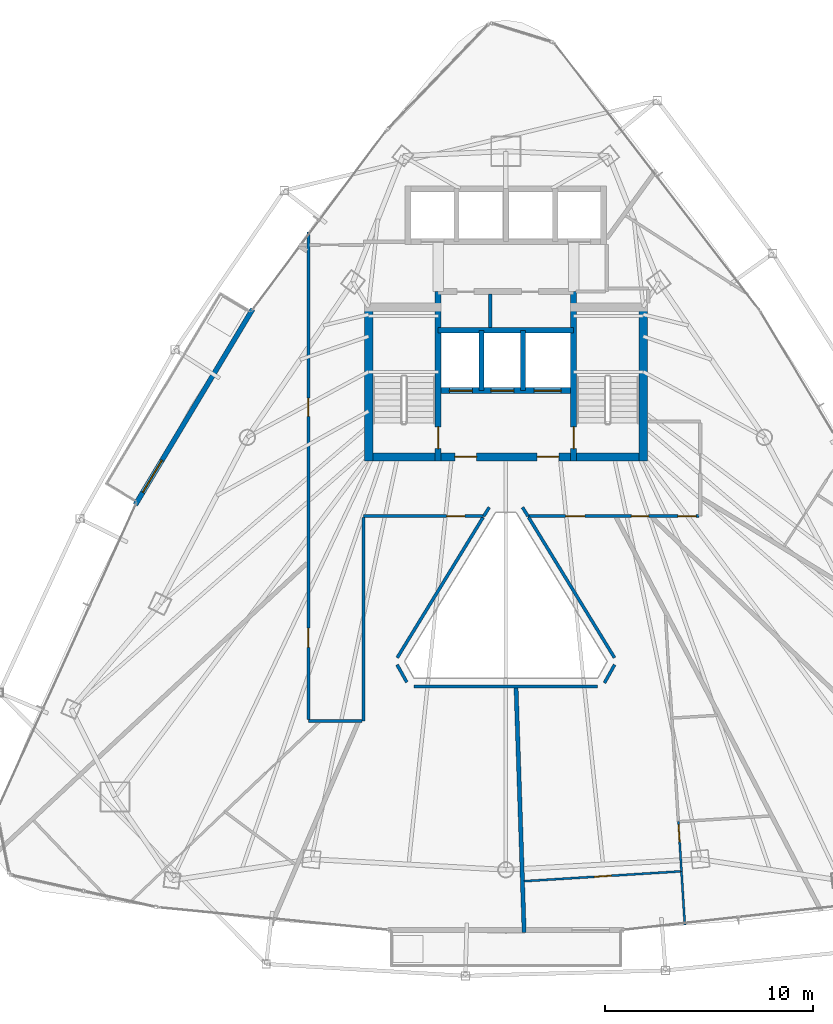
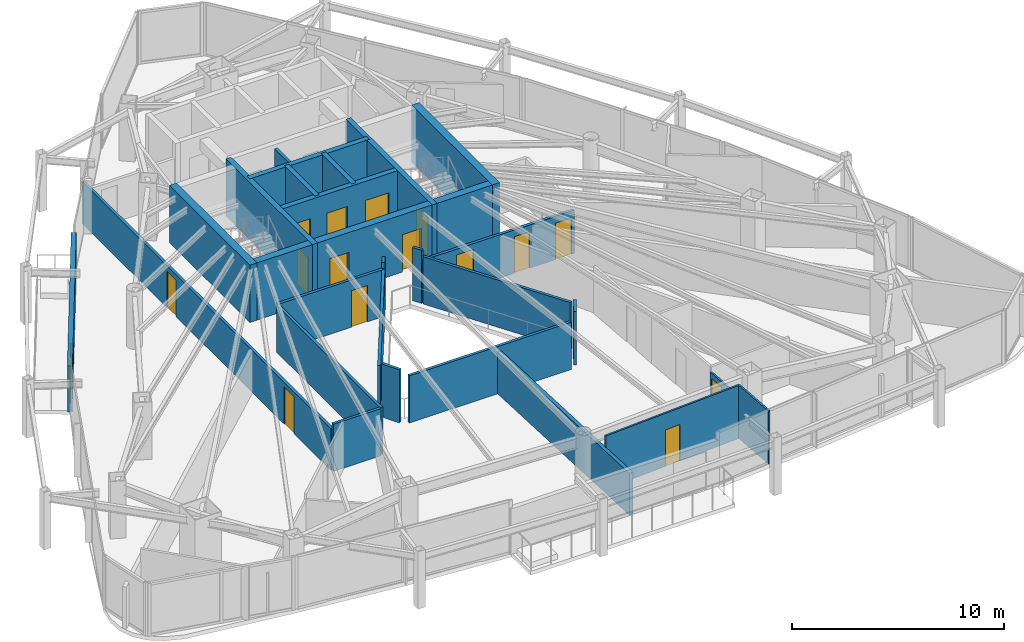
# One storey, part 24 of 29: 27 walls, 16 doors, 16 openings.
"""IFC4 building model written with IfcOpenShell, lengths in metres."""

import ifcopenshell
import ifcopenshell.guid

model = None  # the IFC model being written
_history = None  # IfcOwnerHistory: only IFC2X3 demands one
_inside = {}  # id of a spatial element -> (the spatial element, [elements in it])
_under = {}  # id of a project, library or spatial element -> (it, [spatial elements below it])
_declared = {}  # id of a project -> (the project, [libraries it declares])
_typed = {}  # id of a type object -> (the type object, [elements of that type])
_made_of = {}  # id of a material, layer set ... -> (it, [elements and type objects made of it])


def new_model(schema):
    """Start an empty IFC model of exactly this schema.

    Asked for "IFC4X3", IfcOpenShell would pick the latest addendum, in which some entities
    have other attributes; the version numbers below select the first issue.
    IFC2X3 requires an IfcOwnerHistory on every rooted entity: one is made here for all.
    """
    global model, _history
    if schema == "IFC4X3":
        model = ifcopenshell.file(schema_version=(4, 3, 0, 0))
    else:
        model = ifcopenshell.file(schema=schema)
    _inside.clear()
    _under.clear()
    _declared.clear()
    _typed.clear()
    _made_of.clear()
    _history = None
    if model.schema == "IFC2X3":
        org = make("IfcOrganization", Name="unknown")
        user = make(
            "IfcPersonAndOrganization",
            ThePerson=make("IfcPerson", FamilyName="unknown"),
            TheOrganization=org,
        )
        app = make(
            "IfcApplication",
            ApplicationDeveloper=org,
            Version="unknown",
            ApplicationFullName="unknown",
            ApplicationIdentifier="unknown",
        )
        _history = make(
            "IfcOwnerHistory",
            OwningUser=user,
            OwningApplication=app,
            ChangeAction="ADDED",
            CreationDate=0,
        )
    return model


def make(cls, **values):
    """One entity of the class cls with the attributes given. An attribute that is None is left unset."""
    return model.create_entity(
        cls, **{name: value for name, value in values.items() if value is not None}
    )


def rooted(cls, **values):
    """An entity with a GlobalId (a new one), such as an element, a storey or a relation."""
    return make(cls, GlobalId=ifcopenshell.guid.new(), OwnerHistory=_history, **values)


def si_unit(unit_type, name, prefix=None):
    """IfcSIUnit, for example si_unit("LENGTHUNIT", "METRE", prefix="MILLI")."""
    return make("IfcSIUnit", UnitType=unit_type, Prefix=prefix, Name=name)


def assignment(units):
    """IfcUnitAssignment: the units of a project."""
    return None if units is None else make("IfcUnitAssignment", Units=units)


def point(xyz):
    """IfcCartesianPoint."""
    return None if xyz is None else make("IfcCartesianPoint", Coordinates=xyz)


def direction(xyz):
    """IfcDirection."""
    return None if xyz is None else make("IfcDirection", DirectionRatios=xyz)


def frame(location, z_axis=None, x_axis=None):
    """IfcAxis2Placement3D, a coordinate frame: its origin and axes. An axis left out is left unset."""
    return make(
        "IfcAxis2Placement3D",
        Location=point(location),
        Axis=direction(z_axis),
        RefDirection=direction(x_axis),
    )


def frame_2d(location, x_axis=None):
    """IfcAxis2Placement2D, a coordinate frame in the plane: its origin and x axis."""
    return make(
        "IfcAxis2Placement2D", Location=point(location), RefDirection=direction(x_axis)
    )


def origin():
    """The frame at (0, 0, 0) with its axes left unset."""
    return frame((0.0, 0.0, 0.0))


def place(relative_to, where):
    """IfcLocalPlacement: puts the frame where relative to a parent placement (None: the world)."""
    return make(
        "IfcLocalPlacement", PlacementRelTo=relative_to, RelativePlacement=where
    )


def context(
    kind, dimensions, precision=None, world=None, true_north=None, identifier=None
):
    """IfcGeometricRepresentationContext, for example the 3D "Model" context."""
    return make(
        "IfcGeometricRepresentationContext",
        ContextIdentifier=identifier,
        ContextType=kind,
        CoordinateSpaceDimension=dimensions,
        Precision=precision,
        WorldCoordinateSystem=world,
        TrueNorth=true_north,
    )


def subcontext(parent, identifier, kind, view, scale=None):
    """IfcGeometricRepresentationSubContext, for example "Body" below "Model"."""
    return make(
        "IfcGeometricRepresentationSubContext",
        ContextIdentifier=identifier,
        ContextType=kind,
        ParentContext=parent,
        TargetScale=scale,
        TargetView=view,
    )


def project(units=None, contexts=None):
    """IfcProject with its units and contexts."""
    return rooted(
        "IfcProject",
        Name="project",
        RepresentationContexts=contexts,
        UnitsInContext=assignment(units),
    )


def spatial(cls, under=None, at=None, **own):
    """A site, building, storey or space (cls), placed at a placement, below another one or the project."""
    s = rooted(cls, ObjectPlacement=at, **own)
    if under is not None:
        _under.setdefault(under.id(), (under, []))[1].append(s)
    return s


def profile(cls, at=None, kind="AREA", **sizes):
    """A parametric profile (cls). Its sizes go by their IFC names, for example OverallWidth=200.0."""
    return make(cls, ProfileType=kind, Position=at, **sizes)


def rectangle(**sizes):
    """IfcRectangleProfileDef."""
    return profile("IfcRectangleProfileDef", **sizes)


def extrude(swept, where, along, depth):
    """IfcExtrudedAreaSolid: the profile swept, set in the frame where, extruded along a direction by depth."""
    return make(
        "IfcExtrudedAreaSolid",
        SweptArea=swept,
        Position=where,
        ExtrudedDirection=direction(along),
        Depth=depth,
    )


def shape(context_of_items, identifier, shape_type, items):
    """IfcShapeRepresentation: the items that make up one representation, for example the "Body"."""
    return make(
        "IfcShapeRepresentation",
        ContextOfItems=context_of_items,
        RepresentationIdentifier=identifier,
        RepresentationType=shape_type,
        Items=items,
    )


def material(Name=None, Category=None):
    """IfcMaterial."""
    return make("IfcMaterial", Name=Name, Category=Category)


def layer(
    of_material, thickness, ventilated=None, Name=None, Category=None, Priority=None
):
    """IfcMaterialLayer: one layer of a wall or slab, of a material (None: an air gap)."""
    return make(
        "IfcMaterialLayer",
        Material=of_material,
        LayerThickness=thickness,
        IsVentilated=ventilated,
        Name=Name,
        Category=Category,
        Priority=Priority,
    )


def layer_set(layers, Name=None):
    """IfcMaterialLayerSet."""
    return make("IfcMaterialLayerSet", MaterialLayers=layers, LayerSetName=Name)


def made_of(thing, what):
    """Note that an element or type object is made of a material, layer set ...; save() writes the relation."""
    if what is not None:
        _made_of.setdefault(what.id(), (what, []))[1].append(thing)
    return thing


def type_object(cls, material=None, **own):
    """A type object (cls), such as IfcWallType, which elements share."""
    return made_of(rooted(cls, **own), material)


def element(
    cls,
    number,
    at=None,
    inside=None,
    cuts=None,
    type_object=None,
    material=None,
    context=None,
    identifier="Body",
    shape_type=None,
    held_by="IfcProductDefinitionShape",
    body=None,
    shapes=None,
    **own,
):
    """One element of the class cls, such as IfcWall. Its Tag is "e" and its number.

    at: its placement. inside: the storey or other place that contains it. cuts: it is an
    opening in that element (IfcRelVoidsElement). A single representation is given by context,
    identifier, shape_type and body (its items); several are given by shapes. held_by: the class
    of the entity that holds the representations. save() writes the other relations.
    """
    e = rooted(cls, Tag="e%d" % number, ObjectPlacement=at, **own)
    if body is not None:
        shapes = [shape(context, identifier, shape_type, body)]
    if shapes is not None:
        e.Representation = make(held_by, Representations=shapes)
    if inside is not None:
        _inside.setdefault(inside.id(), (inside, []))[1].append(e)
    if cuts is not None:
        rooted(
            "IfcRelVoidsElement", RelatingBuildingElement=cuts, RelatedOpeningElement=e
        )
    if type_object is not None:
        _typed.setdefault(type_object.id(), (type_object, []))[1].append(e)
    return made_of(e, material)


def fill(opening, filler):
    """IfcRelFillsElement: the door or window that sits in an opening."""
    return rooted(
        "IfcRelFillsElement",
        RelatingOpeningElement=opening,
        RelatedBuildingElement=filler,
    )


def aggregate(whole, parts):
    """IfcRelAggregates: a whole, such as a stair, and the parts it consists of."""
    return rooted("IfcRelAggregates", RelatingObject=whole, RelatedObjects=parts)


def save(model, path):
    """Write the relations noted so far, then the file.

    IfcRelAggregates (storeys below a building ...), IfcRelContainedInSpatialStructure (elements
    in a storey), IfcRelDefinesByType, IfcRelAssociatesMaterial and IfcRelDeclares: one each for
    every whole, place, type object, material and project.
    """
    for whole, parts in _under.values():
        aggregate(whole, parts)
    for where, things in _inside.values():
        rooted(
            "IfcRelContainedInSpatialStructure",
            RelatedElements=things,
            RelatingStructure=where,
        )
    for kind, things in _typed.values():
        rooted("IfcRelDefinesByType", RelatedObjects=things, RelatingType=kind)
    for what, things in _made_of.values():
        rooted("IfcRelAssociatesMaterial", RelatedObjects=things, RelatingMaterial=what)
    for by, libraries in _declared.values():
        rooted("IfcRelDeclares", RelatingContext=by, RelatedDefinitions=libraries)
    model.write(path)


model = new_model("IFC4")

# Units and contexts
model_context = context("Model", 3, precision=1e-05, world=origin(), true_north=direction((0.0, 1.0)))
body_context = subcontext(model_context, "Body", "Model", "MODEL_VIEW")
ifc_project = project(units=[si_unit("LENGTHUNIT", "METRE"), si_unit("AREAUNIT", "SQUARE_METRE"), si_unit("VOLUMEUNIT", "CUBIC_METRE"), si_unit("PLANEANGLEUNIT", "RADIAN"), si_unit("MASSUNIT", "GRAM", prefix="KILO")], contexts=[model_context])

# Site, building, storey
site_placement = place(None, origin())
site = spatial("IfcSite", under=ifc_project, at=site_placement, CompositionType="ELEMENT")
building_placement = place(site_placement, origin())
building = spatial("IfcBuilding", under=site, at=building_placement, Name="Orvanel Arch Residences", CompositionType="ELEMENT")
storey_placement = place(building_placement, frame((0.0, 0.0, 173.75)))
storey = spatial("IfcBuildingStorey", under=building, at=storey_placement, Name="L49", CompositionType="ELEMENT", Elevation=173.75)

# Wall, opening, door
ifc_material_1 = material(Name="Precast concrete N50 (50 MPa)", Category="concrete")
ifc_layer_1 = layer(ifc_material_1, 0.239990234375)
ifc_layer_set_1 = layer_set([ifc_layer_1], Name="Precast concrete N50 (50 MPa)")
wall_type_1 = type_object("IfcWallType", Name="EW-BAL-240", PredefinedType="SOLIDWALL", material=ifc_layer_set_1)
wall_1_placement = place(storey_placement, frame((20.825927734375, 33.81103515625, 0.0), z_axis=(0.0, 0.0, 1.0), x_axis=(-0.514332213488, -0.857591029669, 0.0)))
wall_1 = element("IfcWall", 1, at=wall_1_placement, inside=storey, type_object=wall_type_1, Name="L49 Balcony Threshold Wall Face 1", PredefinedType="SOLIDWALL", context=body_context, shape_type="SweptSolid", body=[
    extrude(rectangle(XDim=10.977294921875, YDim=0.239990234375, at=frame_2d((5.48876953125, 0.0))), origin(), (0.0, 0.0, 1.0), 2.6240234375),
])
opening_1_placement = place(wall_1_placement, frame((8.47998046875, 0.0, 0.0)))
opening_1 = element("IfcOpeningElement", 2, at=opening_1_placement, cuts=wall_1, Name="Opening DB-180", PredefinedType="OPENING", context=body_context, shape_type="SweptSolid", body=[
    extrude(rectangle(XDim=1.800048828125, YDim=2.199951171875, at=frame_2d((0.89990234375, 1.10009765625))), frame((0.0, 0.1298828125, 0.0), z_axis=(0.0, -1.0, 0.0), x_axis=(1.0, 0.0, 0.0)), (0.0, 0.0, 1.0), 0.260009765625),
])
ifc_material_2 = material(Name="Bronze-anodised aluminium AA6063-T6", Category="aluminium")
door_type_1 = type_object("IfcDoorType", Name="DR-BAL-1800", OperationType="NOTDEFINED", PredefinedType="DOOR", material=ifc_material_2)
door_1_placement = place(opening_1_placement, origin())
door_1 = element("IfcDoor", 3, at=door_1_placement, inside=storey, type_object=door_type_1, Name="DR-L49-BAL-F1 L49 Planted Balcony Access Door Face 1", OperationType="SINGLE_SWING_LEFT", OverallHeight=2.199951171875, OverallWidth=1.800048828125, PredefinedType="DOOR", context=body_context, shape_type="SweptSolid", body=[
    extrude(rectangle(XDim=1.800048828125, YDim=2.199951171875, at=frame_2d((0.89990234375, 1.10009765625))), frame((0.0, 0.02490234375, 0.0), z_axis=(0.0, -1.0, 0.0), x_axis=(1.0, 0.0, 0.0)), (0.0, 0.0, 1.0), 0.050048828125),
])
fill(opening_1, door_1)

# Walls
ifc_material_3 = material(Name="Concrete N50 (50 MPa)", Category="concrete")
ifc_layer_2 = layer(ifc_material_3, 0.25)
ifc_layer_set_2 = layer_set([ifc_layer_2], Name="Concrete N50 (50 MPa)")
wall_type_2 = type_object("IfcWallType", Name="SW-CORE-250", PredefinedType="SHEAR", material=ifc_layer_set_2)
for number, where, z_axis, x_axis, name in (
    (4, (31.824951171875, 29.889892578125, 0.0), (0.0, 0.0, 1.0), (0.0, 1.0, 0.0), "L49 Emergency Lift Inter-Shaft Wall F12"),
    (5, (33.824951171875, 29.889892578125, 0.0), (0.0, 0.0, 1.0), (0.0, 1.0, 0.0), "L49 Emergency Lift Inter-Shaft Wall F2G"),
):
    element("IfcWall", number, at=place(storey_placement, frame(where, z_axis=z_axis, x_axis=x_axis)), inside=storey, type_object=wall_type_2, Name=name, PredefinedType="SHEAR", context=body_context, shape_type="SweptSolid", body=[
        extrude(rectangle(XDim=2.900146484375, YDim=0.25, at=frame_2d((1.4501953125, 0.0))), origin(), (0.0, 0.0, 1.0), 3.300048828125),
    ])

# Wall, opening, door
ifc_material_4 = material(Name="Concrete S65 (65 MPa)", Category="concrete")
ifc_layer_3 = layer(ifc_material_4, 0.280029296875)
ifc_layer_set_3 = layer_set([ifc_layer_3], Name="Concrete S65 (65 MPa)")
wall_type_3 = type_object("IfcWallType", Name="SW-CORE-280", PredefinedType="SHEAR", material=ifc_layer_set_3)
wall_2_placement = place(storey_placement, frame((29.739990234375, 26.5, 0.0), z_axis=(0.0, 0.0, 1.0), x_axis=(0.0, 1.0, 0.0)))
wall_2 = element("IfcWall", 6, at=wall_2_placement, inside=storey, type_object=wall_type_3, Name="L49 West Inner Core Spine Shear Wall", PredefinedType="SHEAR", context=body_context, shape_type="SweptSolid", body=[
    extrude(rectangle(XDim=8.14990234375, YDim=0.280029296875, at=frame_2d((4.074951171875, 0.0))), origin(), (0.0, 0.0, 1.0), 3.300048828125),
])
opening_2_placement = place(wall_2_placement, frame((0.60009765625, 0.0, 0.0)))
opening_2 = element("IfcOpeningElement", 7, at=opening_2_placement, cuts=wall_2, Name="Opening DF-120", PredefinedType="OPENING", context=body_context, shape_type="SweptSolid", body=[
    extrude(rectangle(XDim=1.050048828125, YDim=2.14990234375, at=frame_2d((0.52490234375, 1.074951171875))), frame((0.0, 0.14990234375, 0.0), z_axis=(0.0, -1.0, 0.0), x_axis=(1.0, 0.0, 0.0)), (0.0, 0.0, 1.0), 0.300048828125),
])
ifc_material_5 = material(Name="Galvanised steel fire-resisting door assembly", Category="steel")
door_type_2 = type_object("IfcDoorType", Name="DR-FD120-1050", OperationType="NOTDEFINED", PredefinedType="DOOR", material=ifc_material_5)
door_2_placement = place(opening_2_placement, origin())
door_2 = element("IfcDoor", 8, at=door_2_placement, inside=storey, type_object=door_type_2, Name="DR-L49-ST1 L49 Stair 1 Fire Door", OperationType="SINGLE_SWING_LEFT", OverallHeight=2.14990234375, OverallWidth=1.050048828125, PredefinedType="DOOR", context=body_context, shape_type="SweptSolid", body=[
    extrude(rectangle(XDim=1.050048828125, YDim=2.14990234375, at=frame_2d((0.52490234375, 1.074951171875))), frame((0.0, 0.02490234375, 0.0), z_axis=(0.0, -1.0, 0.0), x_axis=(1.0, 0.0, 0.0)), (0.0, 0.0, 1.0), 0.050048828125),
])
fill(opening_2, door_2)

wall_3_placement = place(storey_placement, frame((36.260009765625, 26.5, 0.0), z_axis=(0.0, 0.0, 1.0), x_axis=(0.0, 1.0, 0.0)))
wall_3 = element("IfcWall", 9, at=wall_3_placement, inside=storey, type_object=wall_type_3, Name="L49 East Inner Core Spine Shear Wall", PredefinedType="SHEAR", context=body_context, shape_type="SweptSolid", body=[
    extrude(rectangle(XDim=8.14990234375, YDim=0.280029296875, at=frame_2d((4.074951171875, 0.0))), origin(), (0.0, 0.0, 1.0), 3.300048828125),
])
opening_3_placement = place(wall_3_placement, frame((0.60009765625, 0.0, 0.0)))
opening_3 = element("IfcOpeningElement", 10, at=opening_3_placement, cuts=wall_3, Name="Opening DF-120", PredefinedType="OPENING", context=body_context, shape_type="SweptSolid", body=[
    extrude(rectangle(XDim=1.050048828125, YDim=2.14990234375, at=frame_2d((0.52490234375, 1.074951171875))), frame((0.0, 0.14990234375, 0.0), z_axis=(0.0, -1.0, 0.0), x_axis=(1.0, 0.0, 0.0)), (0.0, 0.0, 1.0), 0.300048828125),
])
door_3_placement = place(opening_3_placement, origin())
door_3 = element("IfcDoor", 11, at=door_3_placement, inside=storey, type_object=door_type_2, Name="DR-L49-ST2 L49 Stair 2 Fire Door", OperationType="SINGLE_SWING_RIGHT", OverallHeight=2.14990234375, OverallWidth=1.050048828125, PredefinedType="DOOR", context=body_context, shape_type="SweptSolid", body=[
    extrude(rectangle(XDim=1.050048828125, YDim=2.14990234375, at=frame_2d((0.52490234375, 1.074951171875))), frame((0.0, 0.02490234375, 0.0), z_axis=(0.0, -1.0, 0.0), x_axis=(1.0, 0.0, 0.0)), (0.0, 0.0, 1.0), 0.050048828125),
])
fill(opening_3, door_3)

# Wall, openings, doors
wall_4_placement = place(storey_placement, frame((36.260009765625, 29.889892578125, 0.0), z_axis=(0.0, 0.0, 1.0), x_axis=(-1.0, 0.0, 0.0)))
wall_4 = element("IfcWall", 12, at=wall_4_placement, inside=storey, type_object=wall_type_3, Name="L49 Emergency Lift Front Core Shear Wall", PredefinedType="SHEAR", context=body_context, shape_type="SweptSolid", body=[
    extrude(rectangle(XDim=6.52001953125, YDim=0.280029296875, at=frame_2d((3.260009765625, 0.0))), origin(), (0.0, 0.0, 1.0), 3.300048828125),
])
opening_4_placement = place(wall_4_placement, frame((4.875, 0.0, 0.0)))
opening_4 = element("IfcOpeningElement", 13, at=opening_4_placement, cuts=wall_4, Name="Opening LD-110", PredefinedType="OPENING", context=body_context, shape_type="SweptSolid", body=[
    extrude(rectangle(XDim=1.10009765625, YDim=2.199951171875, at=frame_2d((0.550048828125, 1.10009765625))), frame((0.0, 0.14990234375, 0.0), z_axis=(0.0, -1.0, 0.0), x_axis=(1.0, 0.0, 0.0)), (0.0, 0.0, 1.0), 0.300048828125),
])
opening_5_placement = place(wall_4_placement, frame((2.875, 0.0, 0.0)))
opening_5 = element("IfcOpeningElement", 14, at=opening_5_placement, cuts=wall_4, Name="Opening LD-110", PredefinedType="OPENING", context=body_context, shape_type="SweptSolid", body=[
    extrude(rectangle(XDim=1.10009765625, YDim=2.199951171875, at=frame_2d((0.550048828125, 1.10009765625))), frame((0.0, 0.14990234375, 0.0), z_axis=(0.0, -1.0, 0.0), x_axis=(1.0, 0.0, 0.0)), (0.0, 0.0, 1.0), 0.300048828125),
])
opening_6_placement = place(wall_4_placement, frame((0.60009765625, 0.0, 0.0)))
opening_6 = element("IfcOpeningElement", 15, at=opening_6_placement, cuts=wall_4, Name="Opening LD-130", PredefinedType="OPENING", context=body_context, shape_type="SweptSolid", body=[
    extrude(rectangle(XDim=1.300048828125, YDim=2.199951171875, at=frame_2d((0.64990234375, 1.10009765625))), frame((0.0, 0.14990234375, 0.0), z_axis=(0.0, -1.0, 0.0), x_axis=(1.0, 0.0, 0.0)), (0.0, 0.0, 1.0), 0.300048828125),
])
door_type_3 = type_object("IfcDoorType", Name="DR-LFT-1100", OperationType="NOTDEFINED", PredefinedType="DOOR", material=ifc_material_5)
door_4_placement = place(opening_4_placement, origin())
door_4 = element("IfcDoor", 16, at=door_4_placement, inside=storey, type_object=door_type_3, Name="LD-F1-L49 L49 Lift F1 Sliding Landing Door", OperationType="DOUBLE_DOOR_SLIDING", OverallHeight=2.199951171875, OverallWidth=1.10009765625, PredefinedType="DOOR", context=body_context, shape_type="SweptSolid", body=[
    extrude(rectangle(XDim=1.10009765625, YDim=2.199951171875, at=frame_2d((0.550048828125, 1.10009765625))), frame((0.0, 0.02490234375, 0.0), z_axis=(0.0, -1.0, 0.0), x_axis=(1.0, 0.0, 0.0)), (0.0, 0.0, 1.0), 0.050048828125),
])
fill(opening_4, door_4)
door_5_placement = place(opening_5_placement, origin())
door_5 = element("IfcDoor", 17, at=door_5_placement, inside=storey, type_object=door_type_3, Name="LD-F2-L49 L49 Lift F2 Sliding Landing Door", OperationType="DOUBLE_DOOR_SLIDING", OverallHeight=2.199951171875, OverallWidth=1.10009765625, PredefinedType="DOOR", context=body_context, shape_type="SweptSolid", body=[
    extrude(rectangle(XDim=1.10009765625, YDim=2.199951171875, at=frame_2d((0.550048828125, 1.10009765625))), frame((0.0, 0.02490234375, 0.0), z_axis=(0.0, -1.0, 0.0), x_axis=(1.0, 0.0, 0.0)), (0.0, 0.0, 1.0), 0.050048828125),
])
fill(opening_5, door_5)
door_type_4 = type_object("IfcDoorType", Name="DR-LFT-1300", OperationType="NOTDEFINED", PredefinedType="DOOR", material=ifc_material_5)
door_6_placement = place(opening_6_placement, origin())
door_6 = element("IfcDoor", 18, at=door_6_placement, inside=storey, type_object=door_type_4, Name="LD-G1-L49 L49 Lift G1 Sliding Landing Door", OperationType="DOUBLE_DOOR_SLIDING", OverallHeight=2.199951171875, OverallWidth=1.300048828125, PredefinedType="DOOR", context=body_context, shape_type="SweptSolid", body=[
    extrude(rectangle(XDim=1.300048828125, YDim=2.199951171875, at=frame_2d((0.64990234375, 1.10009765625))), frame((0.0, 0.02490234375, 0.0), z_axis=(0.0, -1.0, 0.0), x_axis=(1.0, 0.0, 0.0)), (0.0, 0.0, 1.0), 0.050048828125),
])
fill(opening_6, door_6)

# Wall
wall_5_placement = place(storey_placement, frame((29.739990234375, 32.7900390625, 0.0), z_axis=(0.0, 0.0, 1.0), x_axis=(1.0, 0.0, 0.0)))
element("IfcWall", 19, at=wall_5_placement, inside=storey, type_object=wall_type_3, Name="L49 Emergency Lift Back Core Shear Wall", PredefinedType="SHEAR", context=body_context, shape_type="SweptSolid", body=[
    extrude(rectangle(XDim=6.52001953125, YDim=0.280029296875, at=frame_2d((3.260009765625, 0.0))), origin(), (0.0, 0.0, 1.0), 3.300048828125),
])

# Wall, openings, doors
ifc_layer_4 = layer(ifc_material_4, 0.39990234375)
ifc_layer_set_4 = layer_set([ifc_layer_4], Name="Concrete S65 (65 MPa)")
wall_type_4 = type_object("IfcWallType", Name="SW-CORE-400", PredefinedType="SHEAR", material=ifc_layer_set_4)
wall_6_placement = place(storey_placement, frame((26.199951171875, 26.699951171875, 0.0), z_axis=(0.0, 0.0, 1.0), x_axis=(1.0, 0.0, 0.0)))
wall_6 = element("IfcWall", 20, at=wall_6_placement, inside=storey, type_object=wall_type_4, Name="L49 South Core Shear Wall", PredefinedType="SHEAR", context=body_context, shape_type="SweptSolid", body=[
    extrude(rectangle(XDim=13.60009765625, YDim=0.39990234375, at=frame_2d((6.800048828125, 0.0))), origin(), (0.0, 0.0, 1.0), 3.300048828125),
])
opening_7_placement = place(wall_6_placement, frame((4.35009765625, 0.0, 0.0)))
opening_7 = element("IfcOpeningElement", 21, at=opening_7_placement, cuts=wall_6, Name="Opening DF-060", PredefinedType="OPENING", context=body_context, shape_type="SweptSolid", body=[
    extrude(rectangle(XDim=1.050048828125, YDim=2.14990234375, at=frame_2d((0.52490234375, 1.074951171875))), frame((0.0, 0.2099609375, 0.0), z_axis=(0.0, -1.0, 0.0), x_axis=(1.0, 0.0, 0.0)), (0.0, 0.0, 1.0), 0.419921875),
])
opening_8_placement = place(wall_6_placement, frame((8.300048828125, 0.0, 0.0)))
opening_8 = element("IfcOpeningElement", 22, at=opening_8_placement, cuts=wall_6, Name="Opening DF-060", PredefinedType="OPENING", context=body_context, shape_type="SweptSolid", body=[
    extrude(rectangle(XDim=1.050048828125, YDim=2.14990234375, at=frame_2d((0.52490234375, 1.074951171875))), frame((0.0, 0.2099609375, 0.0), z_axis=(0.0, -1.0, 0.0), x_axis=(1.0, 0.0, 0.0)), (0.0, 0.0, 1.0), 0.419921875),
])
door_type_5 = type_object("IfcDoorType", Name="DR-FD60-1050", OperationType="NOTDEFINED", PredefinedType="DOOR", material=ifc_material_5)
door_7_placement = place(opening_7_placement, origin())
door_7 = element("IfcDoor", 23, at=door_7_placement, inside=storey, type_object=door_type_5, Name="DR-L49-FFL-W L49 West Smoke Lobby Door", OperationType="SINGLE_SWING_LEFT", OverallHeight=2.14990234375, OverallWidth=1.050048828125, PredefinedType="DOOR", context=body_context, shape_type="SweptSolid", body=[
    extrude(rectangle(XDim=1.050048828125, YDim=2.14990234375, at=frame_2d((0.52490234375, 1.074951171875))), frame((0.0, 0.02490234375, 0.0), z_axis=(0.0, -1.0, 0.0), x_axis=(1.0, 0.0, 0.0)), (0.0, 0.0, 1.0), 0.050048828125),
])
fill(opening_7, door_7)
door_8_placement = place(opening_8_placement, origin())
door_8 = element("IfcDoor", 24, at=door_8_placement, inside=storey, type_object=door_type_5, Name="DR-L49-FFL-E L49 East Smoke Lobby Door", OperationType="SINGLE_SWING_RIGHT", OverallHeight=2.14990234375, OverallWidth=1.050048828125, PredefinedType="DOOR", context=body_context, shape_type="SweptSolid", body=[
    extrude(rectangle(XDim=1.050048828125, YDim=2.14990234375, at=frame_2d((0.52490234375, 1.074951171875))), frame((0.0, 0.02490234375, 0.0), z_axis=(0.0, -1.0, 0.0), x_axis=(1.0, 0.0, 0.0)), (0.0, 0.0, 1.0), 0.050048828125),
])
fill(opening_8, door_8)

# Walls
for number, where, z_axis, x_axis, name in (
    (25, (26.39990234375, 26.5, 0.0), (0.0, 0.0, 1.0), (0.0, 1.0, 0.0), "L49 West Stair Shear Wall"),
    (26, (39.60009765625, 26.5, 0.0), (0.0, 0.0, 1.0), (0.0, 1.0, 0.0), "L49 East Stair Shear Wall"),
):
    element("IfcWall", number, at=place(storey_placement, frame(where, z_axis=z_axis, x_axis=x_axis)), inside=storey, type_object=wall_type_4, Name=name, PredefinedType="SHEAR", context=body_context, shape_type="SweptSolid", body=[
        extrude(rectangle(XDim=7.60009765625, YDim=0.39990234375, at=frame_2d((3.800048828125, 0.0))), origin(), (0.0, 0.0, 1.0), 3.300048828125),
    ])
ifc_material_6 = material(Name="Fire-rated plasterboard lined steel stud partition", Category="steel")
ifc_layer_5 = layer(ifc_material_6, 0.14990234375)
ifc_layer_set_5 = layer_set([ifc_layer_5], Name="Fire-rated plasterboard lined steel stud partition")
wall_type_5 = type_object("IfcWallType", Name="W-COR-150", PredefinedType="PARTITIONING", material=ifc_layer_set_5)
wall_7_placement = place(storey_placement, frame((32.200927734375, 24.27587890625, 0.0), z_axis=(0.0, 0.0, 1.0), x_axis=(-0.529649150849, -0.84821682193, 0.0)))
element("IfcWall", 27, at=wall_7_placement, inside=storey, type_object=wall_type_5, Name="L49 Corridor Fire-Rated Partition", PredefinedType="PARTITIONING", context=body_context, shape_type="SweptSolid", body=[
    extrude(rectangle(XDim=0.501953125, YDim=0.14990234375, at=frame_2d((0.2509765625, 0.0))), origin(), (0.0, 0.0, 1.0), 3.06005859375),
])

# Wall, opening, door
wall_8_placement = place(storey_placement, frame((31.93505859375, 23.85009765625, 0.0), z_axis=(0.0, 0.0, 1.0), x_axis=(-1.0, 0.0, 0.0)))
wall_8 = element("IfcWall", 28, at=wall_8_placement, inside=storey, type_object=wall_type_5, Name="L49 Corridor Fire-Rated Partition", PredefinedType="PARTITIONING", context=body_context, shape_type="SweptSolid", body=[
    extrude(rectangle(XDim=5.78515625, YDim=0.14990234375, at=frame_2d((2.892578125, 0.0))), origin(), (0.0, 0.0, 1.0), 2.720947265625),
])
opening_9_placement = place(wall_8_placement, frame((0.905029296875, 0.0, 0.0)))
opening_9 = element("IfcOpeningElement", 29, at=opening_9_placement, cuts=wall_8, Name="Opening DI-088", PredefinedType="OPENING", context=body_context, shape_type="SweptSolid", body=[
    extrude(rectangle(XDim=0.8798828125, YDim=2.10009765625, at=frame_2d((0.43994140625, 1.050048828125))), frame((0.0, 0.0849609375, 0.0), z_axis=(0.0, -1.0, 0.0), x_axis=(1.0, 0.0, 0.0)), (0.0, 0.0, 1.0), 0.169921875),
])
ifc_material_7 = material(Name="Solid-core European oak veneer fire door leaf", Category="wood")
door_type_6 = type_object("IfcDoorType", Name="DR-INT-880", OperationType="NOTDEFINED", PredefinedType="DOOR", material=ifc_material_7)
door_9_placement = place(opening_9_placement, origin())
door_9 = element("IfcDoor", 30, at=door_9_placement, inside=storey, type_object=door_type_6, Name="DR-L49-SHRD-FB5 L49 Co-Working Study Office E Door", OperationType="SINGLE_SWING_LEFT", OverallHeight=2.10009765625, OverallWidth=0.8798828125, PredefinedType="DOOR", context=body_context, shape_type="SweptSolid", body=[
    extrude(rectangle(XDim=0.8798828125, YDim=2.10009765625, at=frame_2d((0.43994140625, 1.050048828125))), frame((0.0, 0.02490234375, 0.0), z_axis=(0.0, -1.0, 0.0), x_axis=(1.0, 0.0, 0.0)), (0.0, 0.0, 1.0), 0.050048828125),
])
fill(opening_9, door_9)

# Walls
wall_9_placement = place(storey_placement, frame((26.14990234375, 23.7900390625, 0.0), z_axis=(0.0, 0.0, 1.0), x_axis=(0.0, -1.0, 0.0)))
element("IfcWall", 31, at=wall_9_placement, inside=storey, type_object=wall_type_5, Name="L49 Corridor Fire-Rated Partition", PredefinedType="PARTITIONING", context=body_context, shape_type="SweptSolid", body=[
    extrude(rectangle(XDim=9.7900390625, YDim=0.14990234375, at=frame_2d((4.89501953125, 0.0))), origin(), (0.0, 0.0, 1.0), 2.720947265625),
])
wall_10_placement = place(storey_placement, frame((26.090087890625, 14.0, 0.0), z_axis=(0.0, 0.0, 1.0), x_axis=(-1.0, 0.0, 0.0)))
element("IfcWall", 32, at=wall_10_placement, inside=storey, type_object=wall_type_5, Name="L49 Corridor Fire-Rated Partition", PredefinedType="PARTITIONING", context=body_context, shape_type="SweptSolid", body=[
    extrude(rectangle(XDim=2.590087890625, YDim=0.14990234375, at=frame_2d((1.294921875, 0.0))), origin(), (0.0, 0.0, 1.0), 2.720947265625),
])

# Wall, openings, doors
wall_11_placement = place(storey_placement, frame((23.5, 14.06005859375, 0.0), z_axis=(0.0, 0.0, 1.0), x_axis=(0.0, 1.0, 0.0)))
wall_11 = element("IfcWall", 33, at=wall_11_placement, inside=storey, type_object=wall_type_5, Name="L49 Corridor Fire-Rated Partition", PredefinedType="PARTITIONING", context=body_context, shape_type="SweptSolid", body=[
    extrude(rectangle(XDim=23.45703125, YDim=0.14990234375, at=frame_2d((11.728515625, 0.0))), origin(), (0.0, 0.0, 1.0), 2.4130859375),
])
opening_10_placement = place(wall_11_placement, frame((14.5859375, 0.0, 0.0)))
opening_10 = element("IfcOpeningElement", 34, at=opening_10_placement, cuts=wall_11, Name="Opening DI-088", PredefinedType="OPENING", context=body_context, shape_type="SweptSolid", body=[
    extrude(rectangle(XDim=0.8798828125, YDim=2.10009765625, at=frame_2d((0.43994140625, 1.050048828125))), frame((0.0, 0.0849609375, 0.0), z_axis=(0.0, -1.0, 0.0), x_axis=(1.0, 0.0, 0.0)), (0.0, 0.0, 1.0), 0.169921875),
])
opening_11_placement = place(wall_11_placement, frame((3.48291015625, 0.0, 0.0)))
opening_11 = element("IfcOpeningElement", 35, at=opening_11_placement, cuts=wall_11, Name="Opening DA-092", PredefinedType="OPENING", context=body_context, shape_type="SweptSolid", body=[
    extrude(rectangle(XDim=0.919921875, YDim=2.14990234375, at=frame_2d((0.4599609375, 1.074951171875))), frame((0.0, 0.0849609375, 0.0), z_axis=(0.0, -1.0, 0.0), x_axis=(1.0, 0.0, 0.0)), (0.0, 0.0, 1.0), 0.169921875),
])
door_type_7 = type_object("IfcDoorType", Name="DR-APT-920", OperationType="NOTDEFINED", PredefinedType="DOOR", material=ifc_material_7)
door_10_placement = place(opening_11_placement, origin())
door_10 = element("IfcDoor", 36, at=door_10_placement, inside=storey, type_object=door_type_7, Name="DR-L49-C-ENT L49 Flat C Entrance Door", OperationType="SINGLE_SWING_RIGHT", OverallHeight=2.14990234375, OverallWidth=0.919921875, PredefinedType="DOOR", context=body_context, shape_type="SweptSolid", body=[
    extrude(rectangle(XDim=0.919921875, YDim=2.14990234375, at=frame_2d((0.4599609375, 1.074951171875))), frame((0.0, 0.02490234375, 0.0), z_axis=(0.0, -1.0, 0.0), x_axis=(1.0, 0.0, 0.0)), (0.0, 0.0, 1.0), 0.050048828125),
])
fill(opening_11, door_10)
door_11_placement = place(opening_10_placement, origin())
door_11 = element("IfcDoor", 37, at=door_11_placement, inside=storey, type_object=door_type_6, Name="DR-L49-SHRD-FB2 L49 Co-Working Study Office B Door", OperationType="SINGLE_SWING_LEFT", OverallHeight=2.10009765625, OverallWidth=0.8798828125, PredefinedType="DOOR", context=body_context, shape_type="SweptSolid", body=[
    extrude(rectangle(XDim=0.8798828125, YDim=2.10009765625, at=frame_2d((0.43994140625, 1.050048828125))), frame((0.0, 0.02490234375, 0.0), z_axis=(0.0, -1.0, 0.0), x_axis=(1.0, 0.0, 0.0)), (0.0, 0.0, 1.0), 0.050048828125),
])
fill(opening_10, door_11)

wall_12_placement = place(storey_placement, frame((42.2900390625, 23.85009765625, 0.0), z_axis=(0.0, 0.0, 1.0), x_axis=(-1.0, 0.0, 0.0)))
wall_12 = element("IfcWall", 38, at=wall_12_placement, inside=storey, type_object=wall_type_5, Name="L49 Corridor Fire-Rated Partition", PredefinedType="PARTITIONING", context=body_context, shape_type="SweptSolid", body=[
    extrude(rectangle(XDim=8.22509765625, YDim=0.14990234375, at=frame_2d((4.112548828125, 0.0))), origin(), (0.0, 0.0, 1.0), 2.491943359375),
])
opening_12_placement = place(wall_12_placement, frame((5.492919921875, 0.0, 0.0)))
opening_12 = element("IfcOpeningElement", 39, at=opening_12_placement, cuts=wall_12, Name="Opening DA-092", PredefinedType="OPENING", context=body_context, shape_type="SweptSolid", body=[
    extrude(rectangle(XDim=0.919921875, YDim=2.14990234375, at=frame_2d((0.4599609375, 1.074951171875))), frame((0.0, 0.0849609375, 0.0), z_axis=(0.0, -1.0, 0.0), x_axis=(1.0, 0.0, 0.0)), (0.0, 0.0, 1.0), 0.169921875),
])
opening_13_placement = place(wall_12_placement, frame((2.429931640625, 0.0, 0.0)))
opening_13 = element("IfcOpeningElement", 40, at=opening_13_placement, cuts=wall_12, Name="Opening DW-082", PredefinedType="OPENING", context=body_context, shape_type="SweptSolid", body=[
    extrude(rectangle(XDim=0.820068359375, YDim=2.10009765625, at=frame_2d((0.41015625, 1.050048828125))), frame((0.0, 0.0849609375, 0.0), z_axis=(0.0, -1.0, 0.0), x_axis=(1.0, 0.0, 0.0)), (0.0, 0.0, 1.0), 0.169921875),
])
opening_14_placement = place(wall_12_placement, frame((0.139892578125, 0.0, 0.0)))
opening_14 = element("IfcOpeningElement", 41, at=opening_14_placement, cuts=wall_12, Name="Opening DI-088", PredefinedType="OPENING", context=body_context, shape_type="SweptSolid", body=[
    extrude(rectangle(XDim=0.8798828125, YDim=2.10009765625, at=frame_2d((0.43994140625, 1.050048828125))), frame((0.0, 0.0849609375, 0.0), z_axis=(0.0, -1.0, 0.0), x_axis=(1.0, 0.0, 0.0)), (0.0, 0.0, 1.0), 0.169921875),
])
door_12_placement = place(opening_12_placement, origin())
door_12 = element("IfcDoor", 42, at=door_12_placement, inside=storey, type_object=door_type_7, Name="DR-L49-A-ENT L49 Studio A Entrance Door", OperationType="SINGLE_SWING_RIGHT", OverallHeight=2.14990234375, OverallWidth=0.919921875, PredefinedType="DOOR", context=body_context, shape_type="SweptSolid", body=[
    extrude(rectangle(XDim=0.919921875, YDim=2.14990234375, at=frame_2d((0.4599609375, 1.074951171875))), frame((0.0, 0.02490234375, 0.0), z_axis=(0.0, -1.0, 0.0), x_axis=(1.0, 0.0, 0.0)), (0.0, 0.0, 1.0), 0.050048828125),
])
fill(opening_12, door_12)
door_13_placement = place(opening_14_placement, origin())
door_13 = element("IfcDoor", 43, at=door_13_placement, inside=storey, type_object=door_type_6, Name="DR-L49-SHRD-FB8 L49 Co-Working Study Office H Door", OperationType="SINGLE_SWING_LEFT", OverallHeight=2.10009765625, OverallWidth=0.8798828125, PredefinedType="DOOR", context=body_context, shape_type="SweptSolid", body=[
    extrude(rectangle(XDim=0.8798828125, YDim=2.10009765625, at=frame_2d((0.43994140625, 1.050048828125))), frame((0.0, 0.02490234375, 0.0), z_axis=(0.0, -1.0, 0.0), x_axis=(1.0, 0.0, 0.0)), (0.0, 0.0, 1.0), 0.050048828125),
])
fill(opening_14, door_13)
door_type_8 = type_object("IfcDoorType", Name="DR-WET-820", OperationType="NOTDEFINED", PredefinedType="DOOR", material=ifc_material_7)
door_14_placement = place(opening_13_placement, origin())
door_14 = element("IfcDoor", 44, at=door_14_placement, inside=storey, type_object=door_type_8, Name="DR-L49-SHRD-FB6 L49 Co-Working Study Office F Door", OperationType="SINGLE_SWING_LEFT", OverallHeight=2.10009765625, OverallWidth=0.820068359375, PredefinedType="DOOR", context=body_context, shape_type="SweptSolid", body=[
    extrude(rectangle(XDim=0.820068359375, YDim=2.10009765625, at=frame_2d((0.41015625, 1.050048828125))), frame((0.0, 0.02490234375, 0.0), z_axis=(0.0, -1.0, 0.0), x_axis=(1.0, 0.0, 0.0)), (0.0, 0.0, 1.0), 0.050048828125),
])
fill(opening_13, door_14)

# Walls
wall_13_placement = place(storey_placement, frame((34.06494140625, 23.85009765625, 0.0), z_axis=(0.0, 0.0, 1.0), x_axis=(-0.529649150849, 0.84821682193, 0.0)))
element("IfcWall", 45, at=wall_13_placement, inside=storey, type_object=wall_type_5, Name="L49 Corridor Fire-Rated Partition", PredefinedType="PARTITIONING", context=body_context, shape_type="SweptSolid", body=[
    extrude(rectangle(XDim=0.501953125, YDim=0.14990234375, at=frame_2d((0.2509765625, 0.0))), origin(), (0.0, 0.0, 1.0), 3.06005859375),
])
wall_14_placement = place(storey_placement, frame((34.095947265625, 23.7900390625, 0.0), z_axis=(0.0, 0.0, 1.0), x_axis=(0.521886794995, -0.853014755564, 0.0)))
element("IfcWall", 46, at=wall_14_placement, inside=storey, type_object=wall_type_5, Name="L49 Atrium Overlook Glazed Partition", PredefinedType="PARTITIONING", context=body_context, shape_type="SweptSolid", body=[
    extrude(rectangle(XDim=7.911865234375, YDim=0.14990234375, at=frame_2d((3.9560546875, 0.0))), origin(), (0.0, 0.0, 1.0), 2.720947265625),
])
wall_15_placement = place(storey_placement, frame((38.23193359375, 16.705078125, 0.0), z_axis=(0.0, 0.0, 1.0), x_axis=(-0.489011382175, -0.872277403183, 0.0)))
element("IfcWall", 47, at=wall_15_placement, inside=storey, type_object=wall_type_5, Name="L49 Atrium Overlook Glazed Partition", PredefinedType="PARTITIONING", context=body_context, shape_type="SweptSolid", body=[
    extrude(rectangle(XDim=1.001953125, YDim=0.14990234375, at=frame_2d((0.5009765625, 0.0))), origin(), (0.0, 0.0, 1.0), 3.06005859375),
])
wall_16_placement = place(storey_placement, frame((37.4130859375, 15.658935546875, 0.0), z_axis=(0.0, 0.0, 1.0), x_axis=(-1.0, 0.0, 0.0)))
element("IfcWall", 48, at=wall_16_placement, inside=storey, type_object=wall_type_5, Name="L49 Atrium Overlook Glazed Partition", PredefinedType="PARTITIONING", context=body_context, shape_type="SweptSolid", body=[
    extrude(rectangle(XDim=8.826171875, YDim=0.14990234375, at=frame_2d((4.4130859375, 0.0))), origin(), (0.0, 0.0, 1.0), 2.720947265625),
])
wall_17_placement = place(storey_placement, frame((28.238037109375, 15.864013671875, 0.0), z_axis=(0.0, 0.0, 1.0), x_axis=(-0.48779296069, 0.872959350429, 0.0)))
element("IfcWall", 49, at=wall_17_placement, inside=storey, type_object=wall_type_5, Name="L49 Atrium Overlook Glazed Partition", PredefinedType="PARTITIONING", context=body_context, shape_type="SweptSolid", body=[
    extrude(rectangle(XDim=0.96337890625, YDim=0.14990234375, at=frame_2d((0.481689453125, 0.0))), origin(), (0.0, 0.0, 1.0), 3.06005859375),
])
wall_18_placement = place(storey_placement, frame((27.77490234375, 17.041015625, 0.0), z_axis=(0.0, 0.0, 1.0), x_axis=(0.521886794995, 0.853014755564, 0.0)))
element("IfcWall", 50, at=wall_18_placement, inside=storey, type_object=wall_type_5, Name="L49 Atrium Overlook Glazed Partition", PredefinedType="PARTITIONING", context=body_context, shape_type="SweptSolid", body=[
    extrude(rectangle(XDim=7.911865234375, YDim=0.14990234375, at=frame_2d((3.9560546875, 0.0))), origin(), (0.0, 0.0, 1.0), 2.720947265625),
])
ifc_layer_6 = layer(ifc_material_6, 0.199951171875)
ifc_layer_set_6 = layer_set([ifc_layer_6], Name="Fire-rated plasterboard lined steel stud partition")
wall_type_6 = type_object("IfcWallType", Name="W-DEM-200", PredefinedType="PARTITIONING", material=ifc_layer_set_6)
wall_19_placement = place(storey_placement, frame((33.8798828125, 3.8310546875, 0.0), z_axis=(0.0, 0.0, 1.0), x_axis=(-0.033030388285, 0.999454347857, 0.0)))
element("IfcWall", 51, at=wall_19_placement, inside=storey, type_object=wall_type_6, Name="L49 Inter-Tenancy Acoustic Demising Wall", PredefinedType="PARTITIONING", context=body_context, shape_type="SweptSolid", body=[
    extrude(rectangle(XDim=11.7744140625, YDim=0.199951171875, at=frame_2d((5.88720703125, 0.0))), origin(), (0.0, 0.0, 1.0), 2.4130859375),
])

# Wall, opening, door
ifc_material_8 = material(Name="Acoustic plasterboard lined twin-stud partition", Category="gypsum")
ifc_layer_7 = layer(ifc_material_8, 0.10009765625)
ifc_layer_set_7 = layer_set([ifc_layer_7], Name="Acoustic plasterboard lined twin-stud partition")
wall_type_7 = type_object("IfcWallType", Name="W-INT-100", PredefinedType="PARTITIONING", material=ifc_layer_set_7)
wall_20_placement = place(storey_placement, frame((41.2958984375, 9.156982421875, 0.0), z_axis=(0.0, 0.0, 1.0), x_axis=(0.062778653683, -0.998027474893, 0.0)))
wall_20 = element("IfcWall", 52, at=wall_20_placement, inside=storey, type_object=wall_type_7, Name="L49 Studio A Internal Partition", PredefinedType="PARTITIONING", context=body_context, shape_type="SweptSolid", body=[
    extrude(rectangle(XDim=2.3916015625, YDim=0.10009765625, at=frame_2d((1.19580078125, 0.0))), origin(), (0.0, 0.0, 1.0), 2.4130859375),
])
opening_15_placement = place(wall_20_placement, frame((0.139892578125, 0.0, 0.0)))
opening_15 = element("IfcOpeningElement", 53, at=opening_15_placement, cuts=wall_20, Name="Opening DW-082", PredefinedType="OPENING", context=body_context, shape_type="SweptSolid", body=[
    extrude(rectangle(XDim=0.820068359375, YDim=2.10009765625, at=frame_2d((0.41015625, 1.050048828125))), frame((0.0, 0.06005859375, 0.0), z_axis=(0.0, -1.0, 0.0), x_axis=(1.0, 0.0, 0.0)), (0.0, 0.0, 1.0), 0.1201171875),
])
door_15_placement = place(opening_15_placement, origin())
door_15 = element("IfcDoor", 54, at=door_15_placement, inside=storey, type_object=door_type_8, Name="DR-L49-A-LAU1 L49 Studio A Apartment Laundry Room 1 Door", OperationType="SINGLE_SWING_LEFT", OverallHeight=2.10009765625, OverallWidth=0.820068359375, PredefinedType="DOOR", context=body_context, shape_type="SweptSolid", body=[
    extrude(rectangle(XDim=0.820068359375, YDim=2.10009765625, at=frame_2d((0.41015625, 1.050048828125))), frame((0.0, 0.02490234375, 0.0), z_axis=(0.0, -1.0, 0.0), x_axis=(1.0, 0.0, 0.0)), (0.0, 0.0, 1.0), 0.050048828125),
])
fill(opening_15, door_15)

wall_21_placement = place(storey_placement, frame((41.446044921875, 6.77001953125, 0.0), z_axis=(0.0, 0.0, 1.0), x_axis=(-0.998040272182, -0.062574875979, 0.0)))
wall_21 = element("IfcWall", 55, at=wall_21_placement, inside=storey, type_object=wall_type_7, Name="L49 Studio A Internal Partition", PredefinedType="PARTITIONING", context=body_context, shape_type="SweptSolid", body=[
    extrude(rectangle(XDim=7.576904296875, YDim=0.10009765625, at=frame_2d((3.78857421875, 0.0))), origin(), (0.0, 0.0, 1.0), 3.06005859375),
])
opening_16_placement = place(wall_21_placement, frame((3.3779296875, 0.0, 0.0)))
opening_16 = element("IfcOpeningElement", 56, at=opening_16_placement, cuts=wall_21, Name="Opening DW-082", PredefinedType="OPENING", context=body_context, shape_type="SweptSolid", body=[
    extrude(rectangle(XDim=0.820068359375, YDim=2.10009765625, at=frame_2d((0.41015625, 1.050048828125))), frame((0.0, 0.06005859375, 0.0), z_axis=(0.0, -1.0, 0.0), x_axis=(1.0, 0.0, 0.0)), (0.0, 0.0, 1.0), 0.1201171875),
])
door_16_placement = place(opening_16_placement, origin())
door_16 = element("IfcDoor", 57, at=door_16_placement, inside=storey, type_object=door_type_8, Name="DR-L49-A-LAU2 L49 Studio A Apartment Laundry Room 2 Door", OperationType="SINGLE_SWING_LEFT", OverallHeight=2.10009765625, OverallWidth=0.820068359375, PredefinedType="DOOR", context=body_context, shape_type="SweptSolid", body=[
    extrude(rectangle(XDim=0.820068359375, YDim=2.10009765625, at=frame_2d((0.41015625, 1.050048828125))), frame((0.0, 0.02490234375, 0.0), z_axis=(0.0, -1.0, 0.0), x_axis=(1.0, 0.0, 0.0)), (0.0, 0.0, 1.0), 0.050048828125),
])
fill(opening_16, door_16)

# Walls
wall_22_placement = place(storey_placement, frame((41.60693359375, 4.197998046875, 0.0), z_axis=(0.0, 0.0, 1.0), x_axis=(-0.062431368009, 0.99804925945, 0.0)))
element("IfcWall", 58, at=wall_22_placement, inside=storey, type_object=wall_type_7, Name="L49 Studio A Internal Partition", PredefinedType="PARTITIONING", context=body_context, shape_type="SweptSolid", body=[
    extrude(rectangle(XDim=2.5771484375, YDim=0.10009765625, at=frame_2d((1.28857421875, 0.0))), origin(), (0.0, 0.0, 1.0), 3.06005859375),
])
ifc_layer_8 = layer(ifc_material_6, 0.14990234375)
ifc_layer_set_8 = layer_set([ifc_layer_8], Name="Fire-rated plasterboard lined steel stud partition")
wall_type_8 = type_object("IfcWallType", Name="W-ST-150", PredefinedType="PARTITIONING", material=ifc_layer_set_8)
wall_23_placement = place(storey_placement, frame((32.25, 32.9150390625, 0.0), z_axis=(0.0, 0.0, 1.0), x_axis=(0.0, 1.0, 0.0)))
element("IfcWall", 59, at=wall_23_placement, inside=storey, type_object=wall_type_8, Name="L49 Core Service Partition 1", PredefinedType="PARTITIONING", context=body_context, shape_type="SweptSolid", body=[
    extrude(rectangle(XDim=1.60986328125, YDim=0.14990234375, at=frame_2d((0.804931640625, 0.0))), origin(), (0.0, 0.0, 1.0), 3.06005859375),
])

save(model, "model.ifc")
